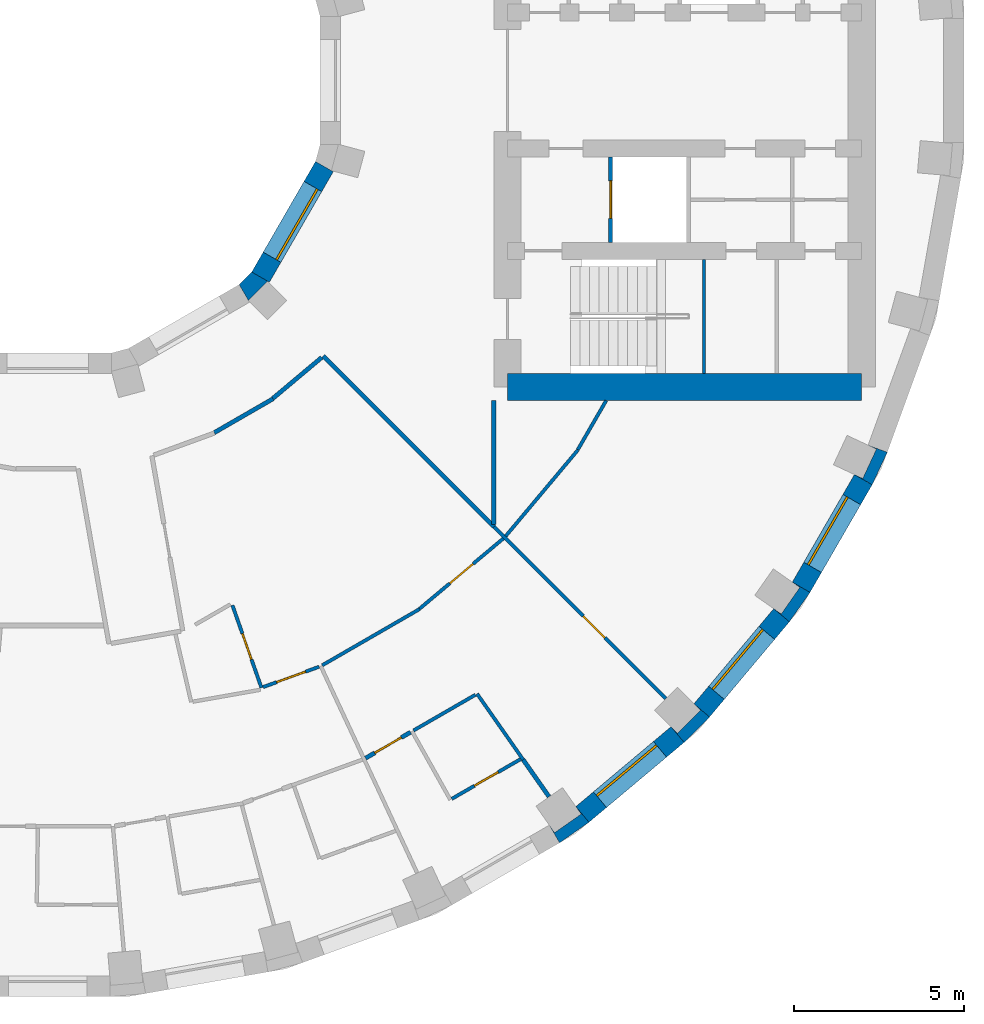
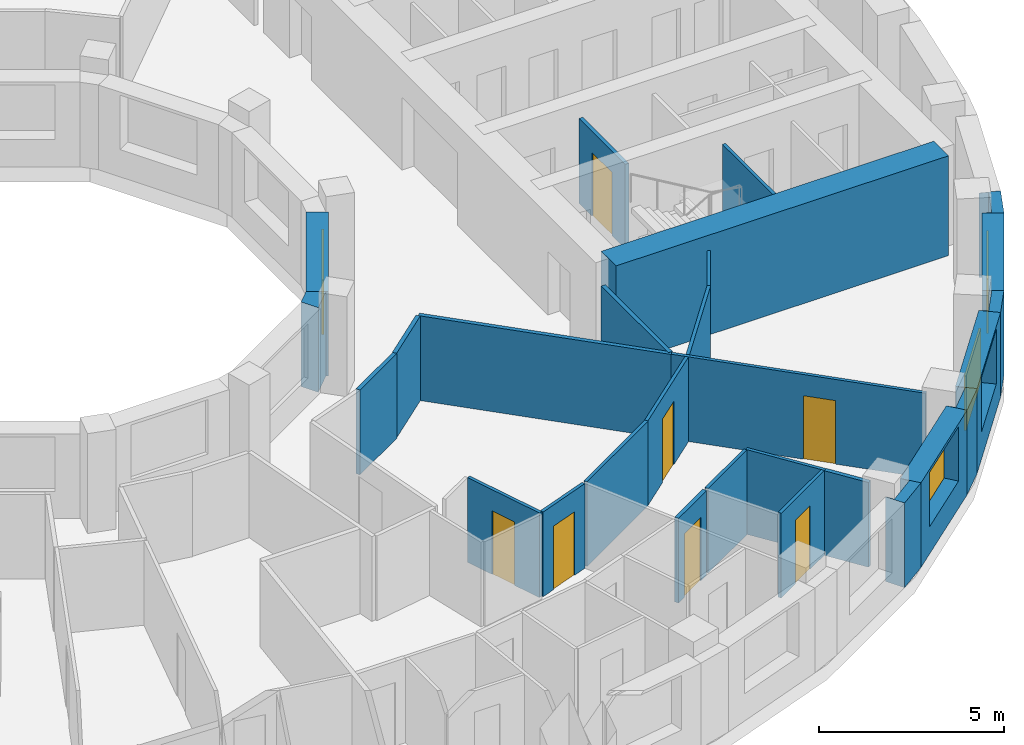
# One storey, part 8 of 14: 28 walls, 7 doors, 4 windows, 11 openings.
"""IFC4 building model written with IfcOpenShell, lengths in metres."""

from ifc_helpers import new_model, si_unit, direction, frame, frame_2d, origin, place, context, subcontext, project, spatial, polyline, rectangle, outline, extrude, material, layer, layer_set, type_object, element, fill, save


model = new_model("IFC4")

# Units and contexts
model_context = context("Model", 3, precision=1e-05, world=origin(), true_north=direction((0.0, 1.0)))
body_context = subcontext(model_context, "Body", "Model", "MODEL_VIEW")
ifc_project = project(units=[si_unit("LENGTHUNIT", "METRE"), si_unit("AREAUNIT", "SQUARE_METRE"), si_unit("VOLUMEUNIT", "CUBIC_METRE"), si_unit("PLANEANGLEUNIT", "RADIAN"), si_unit("MASSUNIT", "GRAM", prefix="KILO")], contexts=[model_context])

# Site, building, storey
site_placement = place(None, origin())
site = spatial("IfcSite", under=ifc_project, at=site_placement, CompositionType="ELEMENT")
building_placement = place(site_placement, origin())
building = spatial("IfcBuilding", under=site, at=building_placement, Name="Saqina Gate Tower", CompositionType="ELEMENT")
storey_placement = place(building_placement, frame((0.0, 0.0, 105.10009765625)))
storey = spatial("IfcBuildingStorey", under=building, at=storey_placement, Name="L29", CompositionType="ELEMENT", Elevation=105.10009765625)

# Walls
ifc_material_1 = material(Name="Brick masonry (buff)", Category="masonry")
wall_type_1 = type_object("IfcWallType", Name="BRICK PIER COPING BUFF", PredefinedType="SOLIDWALL", material=ifc_material_1)
wall_1_placement = place(storey_placement, origin())
element("IfcWall", 1, at=wall_1_placement, inside=storey, type_object=wall_type_1, Name="Pier cap L29 column 31", PredefinedType="SOLIDWALL", context=body_context, shape_type="SweptSolid", body=[
    extrude(outline(polyline([(15.89208984375, -21.77685546875), (15.50634765625, -21.317138671875), (15.66064453125, -21.53759765625), (14.88232421875, -22.08251953125), (14.728271484375, -21.862060546875), (15.0283203125, -22.3818359375), (15.89208984375, -21.77685546875)])), origin(), (0.0, 0.0, 1.0), 2.7998046875),
])
wall_2_placement = place(storey_placement, origin())
element("IfcWall", 2, at=wall_2_placement, inside=storey, type_object=wall_type_1, Name="Pier cap L29 column 32", PredefinedType="SOLIDWALL", context=body_context, shape_type="SweptSolid", body=[
    extrude(outline(polyline([(18.686279296875, -19.43212890625), (19.43212890625, -18.686279296875), (18.972412109375, -18.30078125), (19.16259765625, -18.49072265625), (18.49072265625, -19.16259765625), (18.30078125, -18.972412109375), (18.686279296875, -19.43212890625)])), origin(), (0.0, 0.0, 1.0), 2.7998046875),
])
wall_3_placement = place(storey_placement, origin())
element("IfcWall", 3, at=wall_3_placement, inside=storey, type_object=wall_type_1, Name="Pier cap L29 column 33", PredefinedType="SOLIDWALL", context=body_context, shape_type="SweptSolid", body=[
    extrude(outline(polyline([(22.3818359375, -15.0283203125), (21.862060546875, -14.728271484375), (22.08251953125, -14.88232421875), (21.53759765625, -15.66064453125), (21.317138671875, -15.50634765625), (21.77685546875, -15.89208984375), (22.3818359375, -15.0283203125)])), origin(), (0.0, 0.0, 1.0), 2.7998046875),
])
wall_4_placement = place(storey_placement, origin())
element("IfcWall", 4, at=wall_4_placement, inside=storey, type_object=wall_type_1, Name="Pier cap L29 column 34", PredefinedType="SOLIDWALL", context=body_context, shape_type="SweptSolid", body=[
    extrude(outline(polyline([(24.6513671875, -10.913330078125), (24.08740234375, -10.7080078125), (24.331298828125, -10.82177734375), (23.9296875, -11.6826171875), (23.68603515625, -11.569091796875), (24.205810546875, -11.869140625), (24.6513671875, -10.913330078125)])), origin(), (0.0, 0.0, 1.0), 2.7998046875),
])

# Wall, opening, window
ifc_material_2 = material(Name="Brick masonry (buff)", Category="masonry")
ifc_layer_1 = layer(ifc_material_2, 0.60009765625)
ifc_layer_set_1 = layer_set([ifc_layer_1], Name="FW-BRICK-BUFF")
wall_type_2 = type_object("IfcWallType", Name="FW-BRICK-BUFF", PredefinedType="SOLIDWALL", material=ifc_layer_set_1)
wall_5_placement = place(storey_placement, frame((15.69921875, -21.547119140625, 0.0), z_axis=(0.0, 0.0, 1.0), x_axis=(0.766055462616, 0.642774476932, 0.0)))
wall_5 = element("IfcWall", 5, at=wall_5_placement, inside=storey, type_object=wall_type_2, Name="Facade wall L29 facet 31", PredefinedType="SOLIDWALL", context=body_context, shape_type="SweptSolid", body=[
    extrude(rectangle(XDim=3.647705078125, YDim=0.60009765625, at=frame_2d((1.82373046875, 0.0))), origin(), (0.0, 0.0, 1.0), 2.7998046875),
])
opening_1_placement = place(wall_5_placement, frame((0.673828125, 0.0, 0.89990234375)))
opening_1 = element("IfcOpeningElement", 6, at=opening_1_placement, cuts=wall_5, Name="Opening G08-W20", PredefinedType="OPENING", context=body_context, shape_type="SweptSolid", body=[
    extrude(rectangle(XDim=2.300048828125, YDim=1.800048828125, at=frame_2d((1.14990234375, 0.89990234375))), frame((0.0, 0.31201171875, 0.0), z_axis=(0.0, -1.0, 0.0), x_axis=(1.0, 0.0, 0.0)), (0.0, 0.0, 1.0), 0.6240234375),
])
ifc_material_3 = material(Name="Aluminium glazing", Category="aluminium")
window_type_1 = type_object("IfcWindowType", Name="WN-B", PartitioningType="SINGLE_PANEL", PredefinedType="WINDOW", material=ifc_material_3)
window_1_placement = place(opening_1_placement, origin())
window_1 = element("IfcWindow", 7, at=window_1_placement, inside=storey, type_object=window_type_1, Name="Window L29 facet 31", OverallHeight=1.800048828125, OverallWidth=2.300048828125, PartitioningType="SINGLE_PANEL", PredefinedType="WINDOW", context=body_context, shape_type="SweptSolid", body=[
    extrude(rectangle(XDim=2.300048828125, YDim=1.800048828125, at=frame_2d((1.14990234375, 0.89990234375))), frame((0.0, 0.179931640625, 0.0), z_axis=(0.0, -1.0, 0.0), x_axis=(1.0, 0.0, 0.0)), (0.0, 0.0, 1.0), 0.06005859375),
])
fill(opening_1, window_1)

wall_6_placement = place(storey_placement, frame((19.202392578125, -18.49365234375, 0.0), z_axis=(0.0, 0.0, 1.0), x_axis=(0.642774476932, 0.766055462616, 0.0)))
wall_6 = element("IfcWall", 8, at=wall_6_placement, inside=storey, type_object=wall_type_2, Name="Facade wall L29 facet 32", PredefinedType="SOLIDWALL", context=body_context, shape_type="SweptSolid", body=[
    extrude(rectangle(XDim=3.647705078125, YDim=0.60009765625, at=frame_2d((1.82373046875, 0.0))), origin(), (0.0, 0.0, 1.0), 2.7998046875),
])
opening_2_placement = place(wall_6_placement, frame((0.673828125, 0.0, 0.89990234375)))
opening_2 = element("IfcOpeningElement", 9, at=opening_2_placement, cuts=wall_6, Name="Opening G08-W21", PredefinedType="OPENING", context=body_context, shape_type="SweptSolid", body=[
    extrude(rectangle(XDim=2.300048828125, YDim=1.800048828125, at=frame_2d((1.14990234375, 0.89990234375))), frame((0.0, 0.31201171875, 0.0), z_axis=(0.0, -1.0, 0.0), x_axis=(1.0, 0.0, 0.0)), (0.0, 0.0, 1.0), 0.6240234375),
])
window_2_placement = place(opening_2_placement, origin())
window_2 = element("IfcWindow", 10, at=window_2_placement, inside=storey, type_object=window_type_1, Name="Window L29 facet 32", OverallHeight=1.800048828125, OverallWidth=2.300048828125, PartitioningType="SINGLE_PANEL", PredefinedType="WINDOW", context=body_context, shape_type="SweptSolid", body=[
    extrude(rectangle(XDim=2.300048828125, YDim=1.800048828125, at=frame_2d((1.14990234375, 0.89990234375))), frame((0.0, 0.179931640625, 0.0), z_axis=(0.0, -1.0, 0.0), x_axis=(1.0, 0.0, 0.0)), (0.0, 0.0, 1.0), 0.06005859375),
])
fill(opening_2, window_2)

wall_7_placement = place(storey_placement, frame((22.1220703125, -14.878173828125, 0.0), z_axis=(0.0, 0.0, 1.0), x_axis=(0.499954196102, 0.866051847062, 0.0)))
wall_7 = element("IfcWall", 11, at=wall_7_placement, inside=storey, type_object=wall_type_2, Name="Facade wall L29 facet 33", PredefinedType="SOLIDWALL", context=body_context, shape_type="SweptSolid", body=[
    extrude(rectangle(XDim=3.647705078125, YDim=0.60009765625, at=frame_2d((1.82373046875, 0.0))), origin(), (0.0, 0.0, 1.0), 2.7998046875),
])
opening_3_placement = place(wall_7_placement, frame((0.673828125, 0.0, 0.89990234375)))
opening_3 = element("IfcOpeningElement", 12, at=opening_3_placement, cuts=wall_7, Name="Opening G08-W22", PredefinedType="OPENING", context=body_context, shape_type="SweptSolid", body=[
    extrude(rectangle(XDim=2.300048828125, YDim=1.800048828125, at=frame_2d((1.14990234375, 0.89990234375))), frame((0.0, 0.31201171875, 0.0), z_axis=(0.0, -1.0, 0.0), x_axis=(1.0, 0.0, 0.0)), (0.0, 0.0, 1.0), 0.6240234375),
])
window_3_placement = place(opening_3_placement, origin())
window_3 = element("IfcWindow", 13, at=window_3_placement, inside=storey, type_object=window_type_1, Name="Window L29 facet 33", OverallHeight=1.800048828125, OverallWidth=2.300048828125, PartitioningType="SINGLE_PANEL", PredefinedType="WINDOW", context=body_context, shape_type="SweptSolid", body=[
    extrude(rectangle(XDim=2.300048828125, YDim=1.800048828125, at=frame_2d((1.14990234375, 0.89990234375))), frame((0.0, 0.179931640625, 0.0), z_axis=(0.0, -1.0, 0.0), x_axis=(1.0, 0.0, 0.0)), (0.0, 0.0, 1.0), 0.06005859375),
])
fill(opening_3, window_3)

ifc_material_4 = material(Name="Glazed ceramic tile", Category="ceramic")
ifc_layer_2 = layer(ifc_material_4, 0.60009765625)
ifc_layer_set_2 = layer_set([ifc_layer_2], Name="IW-TILE")
wall_type_3 = type_object("IfcWallType", Name="IW-TILE", PredefinedType="SOLIDWALL", material=ifc_layer_set_2)
wall_8_placement = place(storey_placement, frame((6.251220703125, -5.772705078125, 0.0), z_axis=(0.0, 0.0, 1.0), x_axis=(0.499964958637, 0.86604563398, 0.0)))
wall_8 = element("IfcWall", 14, at=wall_8_placement, inside=storey, type_object=wall_type_3, Name="Well wall L29 facet 11", PredefinedType="SOLIDWALL", context=body_context, shape_type="SweptSolid", body=[
    extrude(rectangle(XDim=3.747314453125, YDim=0.60009765625, at=frame_2d((1.87353515625, 0.0))), origin(), (0.0, 0.0, 1.0), 2.7998046875),
])
opening_4_placement = place(wall_8_placement, frame((0.673583984375, 0.0, 0.89990234375)))
opening_4 = element("IfcOpeningElement", 15, at=opening_4_placement, cuts=wall_8, Name="Opening G08-W33", PredefinedType="OPENING", context=body_context, shape_type="SweptSolid", body=[
    extrude(rectangle(XDim=2.39990234375, YDim=1.800048828125, at=frame_2d((1.199951171875, 0.89990234375))), frame((0.0, 0.31201171875, 0.0), z_axis=(0.0, -1.0, 0.0), x_axis=(1.0, 0.0, 0.0)), (0.0, 0.0, 1.0), 0.6240234375),
])
ifc_material_5 = material(Name="Aluminium glazing", Category="aluminium")
window_type_2 = type_object("IfcWindowType", Name="WN-W", PartitioningType="SINGLE_PANEL", PredefinedType="WINDOW", material=ifc_material_5)
window_4_placement = place(opening_4_placement, origin())
window_4 = element("IfcWindow", 16, at=window_4_placement, inside=storey, type_object=window_type_2, Name="Well window L29 facet 11", OverallHeight=1.800048828125, OverallWidth=2.39990234375, PartitioningType="SINGLE_PANEL", PredefinedType="WINDOW", context=body_context, shape_type="SweptSolid", body=[
    extrude(rectangle(XDim=2.39990234375, YDim=1.800048828125, at=frame_2d((1.199951171875, 0.89990234375))), frame((0.0, -0.119873046875, 0.0), z_axis=(0.0, -1.0, 0.0), x_axis=(1.0, 0.0, 0.0)), (0.0, 0.0, 1.0), 0.06005859375),
])
fill(opening_4, window_4)

# Wall, opening, door
ifc_material_6 = material(Name="Gypsum board on steel studs, 100 mm", Category="steel")
ifc_layer_3 = layer(ifc_material_6, 0.10009765625)
ifc_layer_set_3 = layer_set([ifc_layer_3], Name="PARTITION 100")
wall_type_4 = type_object("IfcWallType", Name="PARTITION 100", PredefinedType="PARTITIONING", material=ifc_layer_set_3)
wall_9_placement = place(storey_placement, frame((5.424072265625, -15.4052734375, 0.0), z_axis=(0.0, 0.0, 1.0), x_axis=(0.332059637914, -0.943258393479, 0.0)))
wall_9 = element("IfcWall", 17, at=wall_9_placement, inside=storey, type_object=wall_type_4, Name="PARTITION PW3-10", PredefinedType="PARTITIONING", context=body_context, shape_type="SweptSolid", body=[
    extrude(rectangle(XDim=2.569580078125, YDim=0.10009765625, at=frame_2d((1.28466796875, 0.0))), origin(), (0.0, 0.0, 1.0), 2.7998046875),
])
opening_5_placement = place(wall_9_placement, frame((0.884521484375, 0.0, 0.0)))
opening_5 = element("IfcOpeningElement", 18, at=opening_5_placement, cuts=wall_9, Name="Opening G08-D43", PredefinedType="OPENING", context=body_context, shape_type="SweptSolid", body=[
    extrude(rectangle(XDim=0.800048828125, YDim=2.10009765625, at=frame_2d((0.39990234375, 1.050048828125))), frame((0.0, 0.06201171875, 0.0), z_axis=(0.0, -1.0, 0.0), x_axis=(1.0, 0.0, 0.0)), (0.0, 0.0, 1.0), 0.1240234375),
])
ifc_material_7 = material(Name="Timber door leaf, 800 mm", Category="wood")
door_type_1 = type_object("IfcDoorType", Name="DOOR 800 TIMBER", OperationType="SINGLE_SWING_LEFT", PredefinedType="DOOR", material=ifc_material_7)
door_1_placement = place(opening_5_placement, origin())
door_1 = element("IfcDoor", 19, at=door_1_placement, inside=storey, type_object=door_type_1, Name="DOOR G08-D43", OperationType="SINGLE_SWING_LEFT", OverallHeight=2.10009765625, OverallWidth=0.800048828125, PredefinedType="DOOR", context=body_context, shape_type="SweptSolid", body=[
    extrude(rectangle(XDim=0.800048828125, YDim=2.10009765625, at=frame_2d((0.39990234375, 1.050048828125))), frame((0.0, 0.02490234375, 0.0), z_axis=(0.0, -1.0, 0.0), x_axis=(1.0, 0.0, 0.0)), (0.0, 0.0, 1.0), 0.050048828125),
])
fill(opening_5, door_1)

# Wall
wall_10_placement = place(storey_placement, frame((12.60791015625, -18.006103515625, 0.0), z_axis=(0.0, 0.0, 1.0), x_axis=(0.573573515593, -0.819154089418, 0.0)))
element("IfcWall", 20, at=wall_10_placement, inside=storey, type_object=wall_type_4, Name="PARTITION PW3-17", PredefinedType="PARTITIONING", context=body_context, shape_type="SweptSolid", body=[
    extrude(rectangle(XDim=2.358154296875, YDim=0.10009765625, at=frame_2d((1.17919921875, 0.0))), origin(), (0.0, 0.0, 1.0), 2.7998046875),
])

# Wall, opening, door
wall_11_placement = place(storey_placement, frame((13.099853515625, -13.10009765625, 0.0), z_axis=(0.0, 0.0, 1.0), x_axis=(0.707192272448, -0.707021279588, 0.0)))
wall_11 = element("IfcWall", 21, at=wall_11_placement, inside=storey, type_object=wall_type_4, Name="PARTITION PW3-21", PredefinedType="PARTITIONING", context=body_context, shape_type="SweptSolid", body=[
    extrude(rectangle(XDim=7.138916015625, YDim=0.10009765625, at=frame_2d((3.5693359375, 0.0))), origin(), (0.0, 0.0, 1.0), 2.7998046875),
])
opening_6_placement = place(wall_11_placement, frame((3.709716796875, 0.0, 0.0)))
opening_6 = element("IfcOpeningElement", 22, at=opening_6_placement, cuts=wall_11, Name="Opening G08-D49", PredefinedType="OPENING", context=body_context, shape_type="SweptSolid", body=[
    extrude(rectangle(XDim=0.89990234375, YDim=2.10009765625, at=frame_2d((0.449951171875, 1.050048828125))), frame((0.0, 0.06201171875, 0.0), z_axis=(0.0, -1.0, 0.0), x_axis=(1.0, 0.0, 0.0)), (0.0, 0.0, 1.0), 0.1240234375),
])
ifc_material_8 = material(Name="Timber door leaf, 900 mm", Category="wood")
door_type_2 = type_object("IfcDoorType", Name="DOOR 900 TIMBER", OperationType="SINGLE_SWING_LEFT", PredefinedType="DOOR", material=ifc_material_8)
door_2_placement = place(opening_6_placement, origin())
door_2 = element("IfcDoor", 23, at=door_2_placement, inside=storey, type_object=door_type_2, Name="DOOR G08-D49", OperationType="SINGLE_SWING_RIGHT", OverallHeight=2.10009765625, OverallWidth=0.89990234375, PredefinedType="DOOR", context=body_context, shape_type="SweptSolid", body=[
    extrude(rectangle(XDim=0.89990234375, YDim=2.10009765625, at=frame_2d((0.449951171875, 1.050048828125))), frame((0.0, 0.02490234375, 0.0), z_axis=(0.0, -1.0, 0.0), x_axis=(1.0, 0.0, 0.0)), (0.0, 0.0, 1.0), 0.050048828125),
])
fill(opening_6, door_2)

wall_12_placement = place(storey_placement, frame((6.323974609375, -17.809814453125, 0.0), z_axis=(0.0, 0.0, 1.0), x_axis=(0.939842226204, 0.341608825771, 0.0)))
wall_12 = element("IfcWall", 24, at=wall_12_placement, inside=storey, type_object=wall_type_4, Name="PARTITION PW3-56", PredefinedType="PARTITIONING", context=body_context, shape_type="SweptSolid", body=[
    extrude(rectangle(XDim=1.75244140625, YDim=0.10009765625, at=frame_2d((0.876220703125, 0.0))), origin(), (0.0, 0.0, 1.0), 2.7998046875),
])
opening_7_placement = place(wall_12_placement, frame((0.42626953125, 0.0, 0.0)))
opening_7 = element("IfcOpeningElement", 25, at=opening_7_placement, cuts=wall_12, Name="Opening G08-D45", PredefinedType="OPENING", context=body_context, shape_type="SweptSolid", body=[
    extrude(rectangle(XDim=0.89990234375, YDim=2.10009765625, at=frame_2d((0.449951171875, 1.050048828125))), frame((0.0, 0.06201171875, 0.0), z_axis=(0.0, -1.0, 0.0), x_axis=(1.0, 0.0, 0.0)), (0.0, 0.0, 1.0), 0.1240234375),
])
door_3_placement = place(opening_7_placement, origin())
door_3 = element("IfcDoor", 26, at=door_3_placement, inside=storey, type_object=door_type_2, Name="DOOR G08-D45", OperationType="SINGLE_SWING_LEFT", OverallHeight=2.10009765625, OverallWidth=0.89990234375, PredefinedType="DOOR", context=body_context, shape_type="SweptSolid", body=[
    extrude(rectangle(XDim=0.89990234375, YDim=2.10009765625, at=frame_2d((0.449951171875, 1.050048828125))), frame((0.0, 0.02490234375, 0.0), z_axis=(0.0, -1.0, 0.0), x_axis=(1.0, 0.0, 0.0)), (0.0, 0.0, 1.0), 0.050048828125),
])
fill(opening_7, door_3)

wall_13_placement = place(storey_placement, frame((11.865234375, -21.090087890625, 0.0), z_axis=(0.0, 0.0, 1.0), x_axis=(0.866046247233, 0.49996389635, 0.0)))
wall_13 = element("IfcWall", 27, at=wall_13_placement, inside=storey, type_object=wall_type_4, Name="PARTITION PW3-61", PredefinedType="PARTITIONING", context=body_context, shape_type="SweptSolid", body=[
    extrude(rectangle(XDim=2.334228515625, YDim=0.10009765625, at=frame_2d((1.1669921875, 0.0))), origin(), (0.0, 0.0, 1.0), 2.7998046875),
])
opening_8_placement = place(wall_13_placement, frame((0.768310546875, 0.0, 0.0)))
opening_8 = element("IfcOpeningElement", 28, at=opening_8_placement, cuts=wall_13, Name="Opening G08-D47", PredefinedType="OPENING", context=body_context, shape_type="SweptSolid", body=[
    extrude(rectangle(XDim=0.800048828125, YDim=2.10009765625, at=frame_2d((0.39990234375, 1.050048828125))), frame((0.0, 0.06201171875, 0.0), z_axis=(0.0, -1.0, 0.0), x_axis=(1.0, 0.0, 0.0)), (0.0, 0.0, 1.0), 0.1240234375),
])
door_4_placement = place(opening_8_placement, frame((0.800048828125, 0.0, 0.0), z_axis=(0.0, 0.0, 1.0), x_axis=(-1.0, 0.0, 0.0)))
door_4 = element("IfcDoor", 29, at=door_4_placement, inside=storey, type_object=door_type_1, Name="DOOR G08-D47", OperationType="SINGLE_SWING_LEFT", OverallHeight=2.10009765625, OverallWidth=0.800048828125, PredefinedType="DOOR", context=body_context, shape_type="SweptSolid", body=[
    extrude(rectangle(XDim=0.800048828125, YDim=2.10009765625, at=frame_2d((0.39990234375, 1.050048828125))), frame((0.0, 0.02490234375, 0.0), z_axis=(0.0, -1.0, 0.0), x_axis=(1.0, 0.0, 0.0)), (0.0, 0.0, 1.0), 0.050048828125),
])
fill(opening_8, door_4)

# Walls
wall_14_placement = place(storey_placement, frame((10.7412109375, -19.0830078125, 0.0), z_axis=(0.0, 0.0, 1.0), x_axis=(0.86618365172, 0.499725806311, 0.0)))
element("IfcWall", 30, at=wall_14_placement, inside=storey, type_object=wall_type_4, Name="PARTITION PW3-62", PredefinedType="PARTITIONING", context=body_context, shape_type="SweptSolid", body=[
    extrude(rectangle(XDim=2.101318359375, YDim=0.10009765625, at=frame_2d((1.05078125, 0.0))), origin(), (0.0, 0.0, 1.0), 2.7998046875),
])
wall_15_placement = place(storey_placement, frame((8.061279296875, -17.1689453125, 0.0), z_axis=(0.0, 0.0, 1.0), x_axis=(0.865907705821, 0.500203803465, 0.0)))
element("IfcWall", 31, at=wall_15_placement, inside=storey, type_object=wall_type_4, Name="PARTITION PW3-63", PredefinedType="PARTITIONING", context=body_context, shape_type="SweptSolid", body=[
    extrude(rectangle(XDim=3.30712890625, YDim=0.10009765625, at=frame_2d((1.653564453125, 0.0))), origin(), (0.0, 0.0, 1.0), 2.7998046875),
])

# Wall, opening, door
wall_16_placement = place(storey_placement, frame((10.91943359375, -15.5078125, 0.0), z_axis=(0.0, 0.0, 1.0), x_axis=(0.766214515486, 0.642584870861, 0.0)))
wall_16 = element("IfcWall", 32, at=wall_16_placement, inside=storey, type_object=wall_type_4, Name="PARTITION PW3-69", PredefinedType="PARTITIONING", context=body_context, shape_type="SweptSolid", body=[
    extrude(rectangle(XDim=3.20703125, YDim=0.10009765625, at=frame_2d((1.603515625, 0.0))), origin(), (0.0, 0.0, 1.0), 2.7998046875),
])
opening_9_placement = place(wall_16_placement, frame((1.153564453125, 0.0, 0.0)))
opening_9 = element("IfcOpeningElement", 33, at=opening_9_placement, cuts=wall_16, Name="Opening G08-D48", PredefinedType="OPENING", context=body_context, shape_type="SweptSolid", body=[
    extrude(rectangle(XDim=0.89990234375, YDim=2.10009765625, at=frame_2d((0.449951171875, 1.050048828125))), frame((0.0, 0.06201171875, 0.0), z_axis=(0.0, -1.0, 0.0), x_axis=(1.0, 0.0, 0.0)), (0.0, 0.0, 1.0), 0.1240234375),
])
door_5_placement = place(opening_9_placement, origin())
door_5 = element("IfcDoor", 34, at=door_5_placement, inside=storey, type_object=door_type_2, Name="DOOR G08-D48", OperationType="SINGLE_SWING_LEFT", OverallHeight=2.10009765625, OverallWidth=0.89990234375, PredefinedType="DOOR", context=body_context, shape_type="SweptSolid", body=[
    extrude(rectangle(XDim=0.89990234375, YDim=2.10009765625, at=frame_2d((0.449951171875, 1.050048828125))), frame((0.0, 0.02490234375, 0.0), z_axis=(0.0, -1.0, 0.0), x_axis=(1.0, 0.0, 0.0)), (0.0, 0.0, 1.0), 0.050048828125),
])
fill(opening_9, door_5)

# Walls
wall_17_placement = place(storey_placement, frame((13.447021484375, -13.376708984375, 0.0), z_axis=(0.0, 0.0, 1.0), x_axis=(0.642547967595, 0.76624546285, 0.0)))
element("IfcWall", 35, at=wall_17_placement, inside=storey, type_object=wall_type_4, Name="PARTITION PW3-74", PredefinedType="PARTITIONING", context=body_context, shape_type="SweptSolid", body=[
    extrude(rectangle(XDim=3.307861328125, YDim=0.10009765625, at=frame_2d((1.65380859375, 0.0))), origin(), (0.0, 0.0, 1.0), 2.7998046875),
])
wall_18_placement = place(storey_placement, frame((15.56494140625, -10.837646484375, 0.0), z_axis=(0.0, 0.0, 1.0), x_axis=(0.500370548049, 0.865811362044, 0.0)))
element("IfcWall", 36, at=wall_18_placement, inside=storey, type_object=wall_type_4, Name="PARTITION PW3-82", PredefinedType="PARTITIONING", context=body_context, shape_type="SweptSolid", body=[
    extrude(rectangle(XDim=1.662841796875, YDim=0.10009765625, at=frame_2d((0.83154296875, 0.0))), origin(), (0.0, 0.0, 1.0), 2.7998046875),
])
ifc_material_9 = material(Name="Gypsum board on steel studs, 125 mm, fire rated", Category="steel")
ifc_layer_4 = layer(ifc_material_9, 0.125)
ifc_layer_set_4 = layer_set([ifc_layer_4], Name="PARTITION EI 30 125")
wall_type_5 = type_object("IfcWallType", Name="PARTITION EI 30 125", PredefinedType="PARTITIONING", material=ifc_layer_set_4)
wall_19_placement = place(storey_placement, frame((13.95849609375, -19.939208984375, 0.0), z_axis=(0.0, 0.0, 1.0), x_axis=(0.573511785482, -0.819197309513, 0.0)))
element("IfcWall", 37, at=wall_19_placement, inside=storey, type_object=wall_type_5, Name="PARTITION PW1-04", PredefinedType="PARTITIONING", context=body_context, shape_type="SweptSolid", body=[
    extrude(rectangle(XDim=1.32568359375, YDim=0.125, at=frame_2d((0.662841796875, 0.0))), origin(), (0.0, 0.0, 1.0), 2.7998046875),
])
wall_20_placement = place(storey_placement, frame((8.092041015625, -8.092041015625, 0.0), z_axis=(0.0, 0.0, 1.0), x_axis=(0.707106781187, -0.707106781187, 0.0)))
element("IfcWall", 38, at=wall_20_placement, inside=storey, type_object=wall_type_5, Name="PARTITION PW1-10", PredefinedType="PARTITIONING", context=body_context, shape_type="SweptSolid", body=[
    extrude(rectangle(XDim=7.08251953125, YDim=0.125, at=frame_2d((3.541259765625, 0.0))), origin(), (0.0, 0.0, 1.0), 2.7998046875),
])

# Wall, opening, door
wall_21_placement = place(storey_placement, frame((9.333251953125, -19.89599609375, 0.0), z_axis=(0.0, 0.0, 1.0), x_axis=(0.86603905187, 0.499976360077, 0.0)))
wall_21 = element("IfcWall", 39, at=wall_21_placement, inside=storey, type_object=wall_type_5, Name="PARTITION PW1-38", PredefinedType="PARTITIONING", context=body_context, shape_type="SweptSolid", body=[
    extrude(rectangle(XDim=1.52587890625, YDim=0.125, at=frame_2d((0.762939453125, 0.0))), origin(), (0.0, 0.0, 1.0), 2.7998046875),
])
opening_10_placement = place(wall_21_placement, frame((0.3134765625, 0.0, 0.0)))
opening_10 = element("IfcOpeningElement", 40, at=opening_10_placement, cuts=wall_21, Name="Opening G08-D46", PredefinedType="OPENING", context=body_context, shape_type="SweptSolid", body=[
    extrude(rectangle(XDim=0.89990234375, YDim=2.10009765625, at=frame_2d((0.449951171875, 1.050048828125))), frame((0.0, 0.074462890625, 0.0), z_axis=(0.0, -1.0, 0.0), x_axis=(1.0, 0.0, 0.0)), (0.0, 0.0, 1.0), 0.14892578125),
])
ifc_material_10 = material(Name="Fire door leaf EI 30, 900 mm")
door_type_3 = type_object("IfcDoorType", Name="DOOR 900 EI 30", OperationType="SINGLE_SWING_LEFT", PredefinedType="DOOR", material=ifc_material_10)
door_6_placement = place(opening_10_placement, origin())
door_6 = element("IfcDoor", 41, at=door_6_placement, inside=storey, type_object=door_type_3, Name="DOOR G08-D46", OperationType="SINGLE_SWING_LEFT", OverallHeight=2.10009765625, OverallWidth=0.89990234375, PredefinedType="DOOR", context=body_context, shape_type="SweptSolid", body=[
    extrude(rectangle(XDim=0.89990234375, YDim=2.10009765625, at=frame_2d((0.449951171875, 1.050048828125))), frame((0.0, 0.02490234375, 0.0), z_axis=(0.0, -1.0, 0.0), x_axis=(1.0, 0.0, 0.0)), (0.0, 0.0, 1.0), 0.050048828125),
])
fill(opening_10, door_6)

# Walls
wall_22_placement = place(storey_placement, frame((4.89013671875, -10.33984375, 0.0), z_axis=(0.0, 0.0, 1.0), x_axis=(0.866142818645, 0.499796576329, 0.0)))
element("IfcWall", 42, at=wall_22_placement, inside=storey, type_object=wall_type_5, Name="PARTITION PW1-39", PredefinedType="PARTITIONING", context=body_context, shape_type="SweptSolid", body=[
    extrude(rectangle(XDim=1.995849609375, YDim=0.125, at=frame_2d((0.998046875, 0.0))), origin(), (0.0, 0.0, 1.0), 2.7998046875),
])
wall_23_placement = place(storey_placement, frame((6.61181640625, -9.333740234375, 0.0), z_axis=(0.0, 0.0, 1.0), x_axis=(0.766118936526, 0.642698821453, 0.0)))
element("IfcWall", 43, at=wall_23_placement, inside=storey, type_object=wall_type_5, Name="PARTITION PW1-43", PredefinedType="PARTITIONING", context=body_context, shape_type="SweptSolid", body=[
    extrude(rectangle(XDim=1.869384765625, YDim=0.125, at=frame_2d((0.9345703125, 0.0))), origin(), (0.0, 0.0, 1.0), 2.7998046875),
])
wall_24_placement = place(storey_placement, frame((13.10009765625, -13.03759765625, 0.0), z_axis=(0.0, 0.0, 1.0), x_axis=(0.0, 1.0, 0.0)))
element("IfcWall", 44, at=wall_24_placement, inside=storey, type_object=wall_type_5, Name="PARTITION PW1-55", PredefinedType="PARTITIONING", context=body_context, shape_type="SweptSolid", body=[
    extrude(rectangle(XDim=3.6376953125, YDim=0.125, at=frame_2d((1.81884765625, 0.0))), origin(), (0.0, 0.0, 1.0), 2.7998046875),
])

# Wall, opening, door
ifc_material_11 = material(Name="Autoclaved aerated concrete block", Category="concrete")
ifc_layer_5 = layer(ifc_material_11, 0.1201171875)
ifc_layer_set_5 = layer_set([ifc_layer_5], Name="SHAFT PARTITION")
wall_type_6 = type_object("IfcWallType", Name="SHAFT PARTITION", PredefinedType="PARTITIONING", material=ifc_layer_set_5)
wall_25_placement = place(storey_placement, frame((16.530029296875, -4.75, 0.0), z_axis=(0.0, 0.0, 1.0), x_axis=(0.0, 1.0, 0.0)))
wall_25 = element("IfcWall", 45, at=wall_25_placement, inside=storey, type_object=wall_type_6, Name="L29-CP-E06", PredefinedType="PARTITIONING", context=body_context, shape_type="SweptSolid", body=[
    extrude(rectangle(XDim=2.5, YDim=0.1201171875, at=frame_2d((1.25, 0.0))), origin(), (0.0, 0.0, 1.0), 2.7998046875),
])
opening_11_placement = place(wall_25_placement, frame((0.699951171875, 0.0, 0.0)))
opening_11 = element("IfcOpeningElement", 46, at=opening_11_placement, cuts=wall_25, Name="Opening G08-LD2", PredefinedType="OPENING", context=body_context, shape_type="SweptSolid", body=[
    extrude(rectangle(XDim=1.10009765625, YDim=2.10009765625, at=frame_2d((0.550048828125, 1.050048828125))), frame((0.0, 0.072021484375, 0.0), z_axis=(0.0, -1.0, 0.0), x_axis=(1.0, 0.0, 0.0)), (0.0, 0.0, 1.0), 0.14404296875),
])
ifc_material_12 = material(Name="Stainless steel", Category="steel")
door_type_4 = type_object("IfcDoorType", Name="LANDING DOOR", OperationType="DOUBLE_DOOR_SLIDING", PredefinedType="DOOR", material=ifc_material_12)
door_7_placement = place(opening_11_placement, origin())
door_7 = element("IfcDoor", 47, at=door_7_placement, inside=storey, type_object=door_type_4, Name="LANDING DOOR FF1", OperationType="DOUBLE_DOOR_SLIDING", OverallHeight=2.10009765625, OverallWidth=1.10009765625, PredefinedType="DOOR", context=body_context, shape_type="SweptSolid", body=[
    extrude(rectangle(XDim=1.10009765625, YDim=2.10009765625, at=frame_2d((0.550048828125, 1.050048828125))), frame((0.0, 0.02490234375, 0.0), z_axis=(0.0, -1.0, 0.0), x_axis=(1.0, 0.0, 0.0)), (0.0, 0.0, 1.0), 0.050048828125),
])
fill(opening_11, door_7)

# Walls
ifc_material_13 = material(Name="Autoclaved aerated concrete block", Category="concrete")
ifc_layer_6 = layer(ifc_material_13, 0.10009765625)
ifc_layer_set_6 = layer_set([ifc_layer_6], Name="STAIR ENCLOSURE WALL")
wall_type_7 = type_object("IfcWallType", Name="STAIR ENCLOSURE WALL", PredefinedType="PARTITIONING", material=ifc_layer_set_6)
wall_26_placement = place(storey_placement, frame((19.27001953125, -8.60009765625, 0.0), z_axis=(0.0, 0.0, 1.0), x_axis=(0.0, 1.0, 0.0)))
element("IfcWall", 48, at=wall_26_placement, inside=storey, type_object=wall_type_7, Name="L29-CP-E15", PredefinedType="PARTITIONING", context=body_context, shape_type="SweptSolid", body=[
    extrude(rectangle(XDim=3.35009765625, YDim=0.10009765625, at=frame_2d((1.675048828125, 0.0))), origin(), (0.0, 0.0, 1.0), 2.7998046875),
])
ifc_material_14 = material(Name="Concrete C70/85", Category="concrete")
ifc_layer_7 = layer(ifc_material_14, 0.800048828125)
ifc_layer_set_7 = layer_set([ifc_layer_7], Name="Concrete C70/85")
wall_type_8 = type_object("IfcWallType", Name="STR-CORE WALL-B-O", PredefinedType="SHEAR", material=ifc_layer_set_7)
wall_27_placement = place(storey_placement, frame((13.5, -9.0, 0.0), z_axis=(0.0, 0.0, 1.0), x_axis=(1.0, 0.0, 0.0)))
element("IfcWall", 49, at=wall_27_placement, inside=storey, type_object=wall_type_8, Name="CORE WALL L29 E-SE", PredefinedType="SHEAR", context=body_context, shape_type="SweptSolid", body=[
    extrude(rectangle(XDim=10.39990234375, YDim=0.800048828125, at=frame_2d((5.199951171875, 0.0))), origin(), (0.0, 0.0, 1.0), 3.2998046875),
])
ifc_material_15 = material(Name="Glazed ceramic tile", Category="ceramic")
wall_type_9 = type_object("IfcWallType", Name="TILE PIER COPING", PredefinedType="SOLIDWALL", material=ifc_material_15)
wall_28_placement = place(storey_placement, origin())
element("IfcWall", 50, at=wall_28_placement, inside=storey, type_object=wall_type_9, Name="Well pier cap L29 column 11", PredefinedType="SOLIDWALL", context=body_context, shape_type="SweptSolid", body=[
    extrude(outline(polyline([(5.891845703125, -6.45751953125), (6.45751953125, -5.891845703125), (5.991455078125, -5.622802734375), (5.622802734375, -5.991455078125), (5.891845703125, -6.45751953125)])), origin(), (0.0, 0.0, 1.0), 2.7998046875),
])

save(model, "model.ifc")
